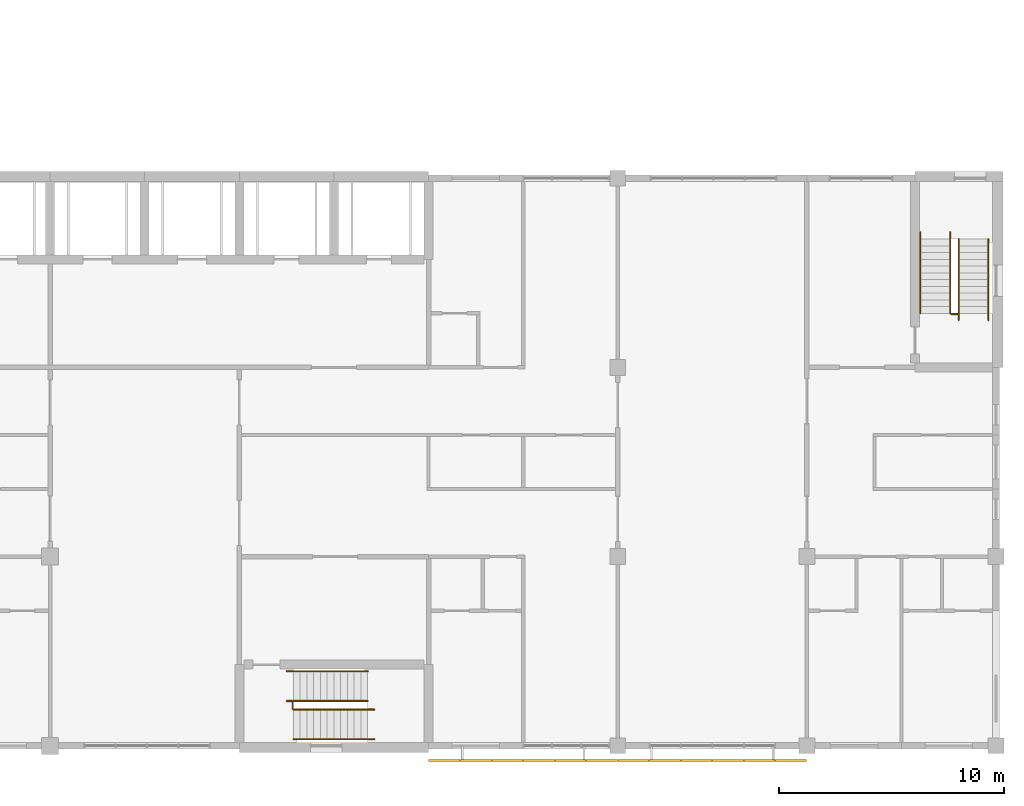
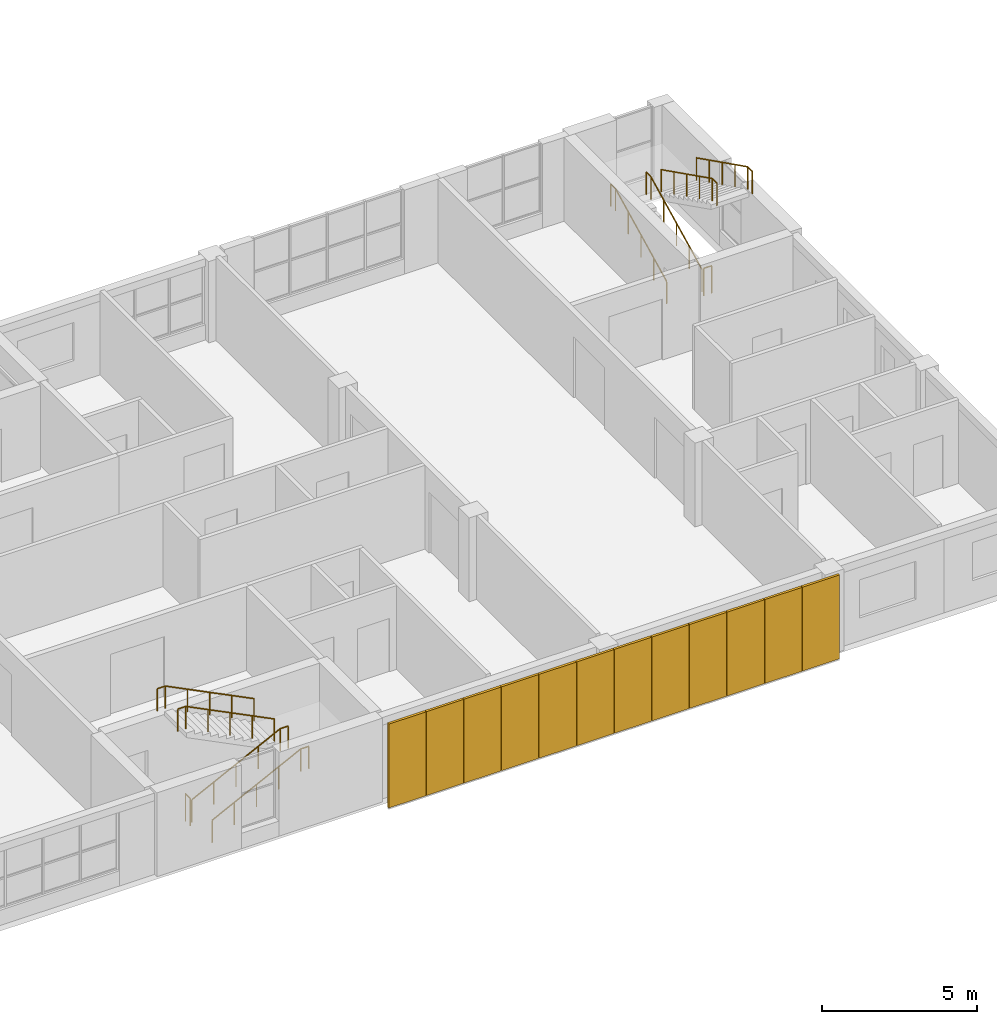
# One storey, part 48 of 48: 12 shading devices, 10 railings.
"""IFC4 building model written with IfcOpenShell, lengths in metres."""

from ifc_helpers import new_model, si_unit, direction, frame, origin, origin_2d, place, context, subcontext, project, spatial, rectangle, circle, extrude, material, layer, layer_set, type_object, element, save


model = new_model("IFC4")

# Units and contexts
model_context = context("Model", 3, precision=1e-05, world=origin(), true_north=direction((0.0, 1.0)))
body_context = subcontext(model_context, "Body", "Model", "MODEL_VIEW")
ifc_project = project(units=[si_unit("LENGTHUNIT", "METRE"), si_unit("AREAUNIT", "SQUARE_METRE"), si_unit("VOLUMEUNIT", "CUBIC_METRE"), si_unit("PLANEANGLEUNIT", "RADIAN"), si_unit("MASSUNIT", "GRAM", prefix="KILO")], contexts=[model_context])

# Site, building, storey
site_placement = place(None, origin())
site = spatial("IfcSite", under=ifc_project, at=site_placement, CompositionType="ELEMENT")
building_placement = place(site_placement, origin())
building = spatial("IfcBuilding", under=site, at=building_placement, Name="Yavir Park General Hospital", CompositionType="ELEMENT")
storey_placement = place(building_placement, frame((0.0, 0.0, 26.10009765625)))
storey = spatial("IfcBuildingStorey", under=building, at=storey_placement, Name="L06", CompositionType="ELEMENT", Elevation=26.10009765625)

# Shading devices
ifc_material_1 = material(Name="Precast concrete perforated block panel", Category="concrete")
ifc_layer = layer(ifc_material_1, 0.092041015625)
ifc_layer_set = layer_set([ifc_layer], Name="Precast concrete perforated block panel")
shading_device_type = type_object("IfcShadingDeviceType", Name="Precast breeze-block screen panel 1380 x 3300 x 92", PredefinedType="JALOUSIE", material=ifc_layer_set)
for number, where, z_axis, x_axis, name in (
    (1, (143.5, -0.64990234375, 0.0), (0.0, 0.0, 1.0), (1.0, 0.0, 0.0), "Screen panel S18.4.1"),
    (2, (144.89990234375, -0.64990234375, 0.0), (0.0, 0.0, 1.0), (1.0, 0.0, 0.0), "Screen panel S18.4.2"),
    (3, (146.300048828125, -0.64990234375, 0.0), (0.0, 0.0, 1.0), (1.0, 0.0, 0.0), "Screen panel S18.4.3"),
    (4, (147.699951171875, -0.64990234375, 0.0), (0.0, 0.0, 1.0), (1.0, 0.0, 0.0), "Screen panel S18.4.4"),
    (5, (149.10009765625, -0.64990234375, 0.0), (0.0, 0.0, 1.0), (1.0, 0.0, 0.0), "Screen panel S18.4.5"),
    (6, (150.5, -0.64990234375, 0.0), (0.0, 0.0, 1.0), (1.0, 0.0, 0.0), "Screen panel S18.4.6"),
    (7, (151.89990234375, -0.64990234375, 0.0), (0.0, 0.0, 1.0), (1.0, 0.0, 0.0), "Screen panel S19.4.1"),
    (8, (153.300048828125, -0.64990234375, 0.0), (0.0, 0.0, 1.0), (1.0, 0.0, 0.0), "Screen panel S19.4.2"),
    (9, (154.699951171875, -0.64990234375, 0.0), (0.0, 0.0, 1.0), (1.0, 0.0, 0.0), "Screen panel S19.4.3"),
    (10, (156.10009765625, -0.64990234375, 0.0), (0.0, 0.0, 1.0), (1.0, 0.0, 0.0), "Screen panel S19.4.4"),
    (11, (157.5, -0.64990234375, 0.0), (0.0, 0.0, 1.0), (1.0, 0.0, 0.0), "Screen panel S19.4.5"),
    (12, (158.89990234375, -0.64990234375, 0.0), (0.0, 0.0, 1.0), (1.0, 0.0, 0.0), "Screen panel S19.4.6"),
):
    element("IfcShadingDevice", number, at=place(storey_placement, frame(where, z_axis=z_axis, x_axis=x_axis)), inside=storey, type_object=shading_device_type, Name=name, PredefinedType="JALOUSIE", context=body_context, shape_type="SweptSolid", body=[
        extrude(rectangle(XDim=1.3798828125, YDim=0.092041015625, at=origin_2d()), origin(), (0.0, 0.0, 1.0), 3.300048828125),
    ])

# Railings
ifc_material_2 = material(Name="Steel balustrade with infill rods", Category="steel")
railing_type_1 = type_object("IfcRailingType", Name="Stair guard, steel balustrade 1100 mm", PredefinedType="GUARDRAIL", material=ifc_material_2)
railing_1_placement = place(storey_placement, frame((136.77001953125, 1.64990234375, 0.0)))
element("IfcRailing", 13, at=railing_1_placement, inside=storey, type_object=railing_type_1, Name="Stair well guard SU5 L06", PredefinedType="GUARDRAIL", context=body_context, shape_type="SweptSolid", body=[
    extrude(circle(Radius=0.02392578125, at=origin_2d()), frame((0.0, 0.0, 1.076171875), z_axis=(0.0, 1.0, 0.0), x_axis=(-1.0, 0.0, 0.0)), (0.0, 0.0, 1.0), 0.300048828125),
    extrude(circle(Radius=0.02099609375, at=origin_2d()), origin(), (0.0, 0.0, 1.0), 1.052001953125),
    extrude(circle(Radius=0.02099609375, at=origin_2d()), frame((0.0, 0.300048828125, 0.0)), (0.0, 0.0, 1.0), 1.052001953125),
])
railing_2_placement = place(storey_placement, frame((166.0, 19.169921875, 0.0)))
element("IfcRailing", 14, at=railing_2_placement, inside=storey, type_object=railing_type_1, Name="Stair well guard SU6 L06", PredefinedType="GUARDRAIL", context=body_context, shape_type="SweptSolid", body=[
    extrude(circle(Radius=0.02392578125, at=origin_2d()), frame((0.0, 0.0, 1.076171875), z_axis=(1.0, 0.0, 0.0), x_axis=(0.0, 1.0, 0.0)), (0.0, 0.0, 1.0), 0.300048828125),
    extrude(circle(Radius=0.02099609375, at=origin_2d()), origin(), (0.0, 0.0, 1.0), 1.052001953125),
    extrude(circle(Radius=0.02099609375, at=origin_2d()), frame((0.300048828125, 0.0, 0.0)), (0.0, 0.0, 1.0), 1.052001953125),
])
ifc_material_3 = material(Name="Stainless steel tube 48 mm", Category="steel")
railing_type_2 = type_object("IfcRailingType", Name="Stair handrail, steel tube, 900 mm above the nosings", PredefinedType="HANDRAIL", material=ifc_material_3)
for number, where, name in (
    (15, (136.800048828125, 0.2900390625, 0.14990234375), "Handrail SU5 L06 1"),
    (16, (136.800048828125, 1.610107421875, 0.14990234375), "Handrail SU5 L06 2"),
):
    element("IfcRailing", number, at=place(storey_placement, frame(where)), inside=storey, type_object=railing_type_2, Name=name, PredefinedType="HANDRAIL", context=body_context, shape_type="SweptSolid", body=[
        extrude(circle(Radius=0.02392578125, at=origin_2d()), frame((0.0, 0.0, 0.8759765625), z_axis=(0.894440424912, 0.0, 0.447187126696), x_axis=(0.0, 1.0, 0.0)), (0.0, 0.0, 1.0), 3.689453125),
        extrude(circle(Radius=0.02392578125, at=origin_2d()), frame((3.300048828125, 0.0, 2.52587890625), z_axis=(1.0, 0.0, 0.0), x_axis=(0.0, 1.0, 0.0)), (0.0, 0.0, 1.0), 0.2998046875),
        extrude(circle(Radius=0.02099609375, at=origin_2d()), origin(), (0.0, 0.0, 1.0), 0.851806640625),
        extrude(circle(Radius=0.02099609375, at=origin_2d()), frame((0.824951171875, 0.0, 0.41259765625)), (0.0, 0.0, 1.0), 0.851806640625),
        extrude(circle(Radius=0.02099609375, at=origin_2d()), frame((1.64990234375, 0.0, 0.824951171875)), (0.0, 0.0, 1.0), 0.851806640625),
        extrude(circle(Radius=0.02099609375, at=origin_2d()), frame((2.47509765625, 0.0, 1.2373046875)), (0.0, 0.0, 1.0), 0.851806640625),
        extrude(circle(Radius=0.02099609375, at=origin_2d()), frame((3.300048828125, 0.0, 1.64990234375)), (0.0, 0.0, 1.0), 0.851806640625),
        extrude(circle(Radius=0.02099609375, at=origin_2d()), frame((3.599853515625, 0.0, 1.64990234375)), (0.0, 0.0, 1.0), 0.851806640625),
    ])
for number, where, name in (
    (17, (140.10009765625, 3.31005859375, 1.949951171875), "Handrail SU5 L06 3"),
    (18, (140.10009765625, 1.989990234375, 1.949951171875), "Handrail SU5 L06 4"),
):
    element("IfcRailing", number, at=place(storey_placement, frame(where)), inside=storey, type_object=railing_type_2, Name=name, PredefinedType="HANDRAIL", context=body_context, shape_type="SweptSolid", body=[
        extrude(circle(Radius=0.02392578125, at=origin_2d()), frame((0.0, 0.0, 0.8759765625), z_axis=(-0.894440424912, 0.0, 0.447187126696), x_axis=(0.0, -1.0, 0.0)), (0.0, 0.0, 1.0), 3.689453125),
        extrude(circle(Radius=0.02392578125, at=origin_2d()), frame((-3.300048828125, 0.0, 2.52587890625), z_axis=(-1.0, 0.0, 0.0), x_axis=(0.0, -1.0, 0.0)), (0.0, 0.0, 1.0), 0.300048828125),
        extrude(circle(Radius=0.02099609375, at=origin_2d()), origin(), (0.0, 0.0, 1.0), 0.851806640625),
        extrude(circle(Radius=0.02099609375, at=origin_2d()), frame((-0.824951171875, 0.0, 0.41259765625)), (0.0, 0.0, 1.0), 0.851806640625),
        extrude(circle(Radius=0.02099609375, at=origin_2d()), frame((-1.64990234375, 0.0, 0.824951171875)), (0.0, 0.0, 1.0), 0.851806640625),
        extrude(circle(Radius=0.02099609375, at=origin_2d()), frame((-2.47509765625, 0.0, 1.2373046875)), (0.0, 0.0, 1.0), 0.851806640625),
        extrude(circle(Radius=0.02099609375, at=origin_2d()), frame((-3.300048828125, 0.0, 1.64990234375)), (0.0, 0.0, 1.0), 0.851806640625),
        extrude(circle(Radius=0.02099609375, at=origin_2d()), frame((-3.60009765625, 0.0, 1.64990234375)), (0.0, 0.0, 1.0), 0.851806640625),
    ])
for number, where, name in (
    (19, (164.639892578125, 19.199951171875, 0.14990234375), "Handrail SU6 L06 1"),
    (20, (165.9599609375, 19.199951171875, 0.14990234375), "Handrail SU6 L06 2"),
):
    element("IfcRailing", number, at=place(storey_placement, frame(where)), inside=storey, type_object=railing_type_2, Name=name, PredefinedType="HANDRAIL", context=body_context, shape_type="SweptSolid", body=[
        extrude(circle(Radius=0.02392578125, at=origin_2d()), frame((0.0, 0.0, 0.8759765625), z_axis=(0.0, 0.894440424912, 0.447187126696), x_axis=(-1.0, 0.0, 0.0)), (0.0, 0.0, 1.0), 3.689453125),
        extrude(circle(Radius=0.02392578125, at=origin_2d()), frame((0.0, 3.300048828125, 2.52587890625), z_axis=(0.0, 1.0, 0.0), x_axis=(-1.0, 0.0, 0.0)), (0.0, 0.0, 1.0), 0.300048828125),
        extrude(circle(Radius=0.02099609375, at=origin_2d()), origin(), (0.0, 0.0, 1.0), 0.851806640625),
        extrude(circle(Radius=0.02099609375, at=origin_2d()), frame((0.0, 0.824951171875, 0.41259765625)), (0.0, 0.0, 1.0), 0.851806640625),
        extrude(circle(Radius=0.02099609375, at=origin_2d()), frame((0.0, 1.64990234375, 0.824951171875)), (0.0, 0.0, 1.0), 0.851806640625),
        extrude(circle(Radius=0.02099609375, at=origin_2d()), frame((0.0, 2.47509765625, 1.2373046875)), (0.0, 0.0, 1.0), 0.851806640625),
        extrude(circle(Radius=0.02099609375, at=origin_2d()), frame((0.0, 3.300048828125, 1.64990234375)), (0.0, 0.0, 1.0), 0.851806640625),
        extrude(circle(Radius=0.02099609375, at=origin_2d()), frame((0.0, 3.60009765625, 1.64990234375)), (0.0, 0.0, 1.0), 0.851806640625),
    ])
for number, where, name in (
    (21, (167.659912109375, 22.5, 1.949951171875), "Handrail SU6 L06 3"),
    (22, (166.340087890625, 22.5, 1.949951171875), "Handrail SU6 L06 4"),
):
    element("IfcRailing", number, at=place(storey_placement, frame(where)), inside=storey, type_object=railing_type_2, Name=name, PredefinedType="HANDRAIL", context=body_context, shape_type="SweptSolid", body=[
        extrude(circle(Radius=0.02392578125, at=origin_2d()), frame((0.0, 0.0, 0.8759765625), z_axis=(0.0, -0.894440424912, 0.447187126696), x_axis=(1.0, 0.0, 0.0)), (0.0, 0.0, 1.0), 3.689453125),
        extrude(circle(Radius=0.02392578125, at=origin_2d()), frame((0.0, -3.300048828125, 2.52587890625), z_axis=(0.0, -1.0, 0.0), x_axis=(1.0, 0.0, 0.0)), (0.0, 0.0, 1.0), 0.300048828125),
        extrude(circle(Radius=0.02099609375, at=origin_2d()), origin(), (0.0, 0.0, 1.0), 0.851806640625),
        extrude(circle(Radius=0.02099609375, at=origin_2d()), frame((0.0, -0.824951171875, 0.41259765625)), (0.0, 0.0, 1.0), 0.851806640625),
        extrude(circle(Radius=0.02099609375, at=origin_2d()), frame((0.0, -1.64990234375, 0.824951171875)), (0.0, 0.0, 1.0), 0.851806640625),
        extrude(circle(Radius=0.02099609375, at=origin_2d()), frame((0.0, -2.47509765625, 1.2373046875)), (0.0, 0.0, 1.0), 0.851806640625),
        extrude(circle(Radius=0.02099609375, at=origin_2d()), frame((0.0, -3.300048828125, 1.64990234375)), (0.0, 0.0, 1.0), 0.851806640625),
        extrude(circle(Radius=0.02099609375, at=origin_2d()), frame((0.0, -3.60009765625, 1.64990234375)), (0.0, 0.0, 1.0), 0.851806640625),
    ])

save(model, "model.ifc")
